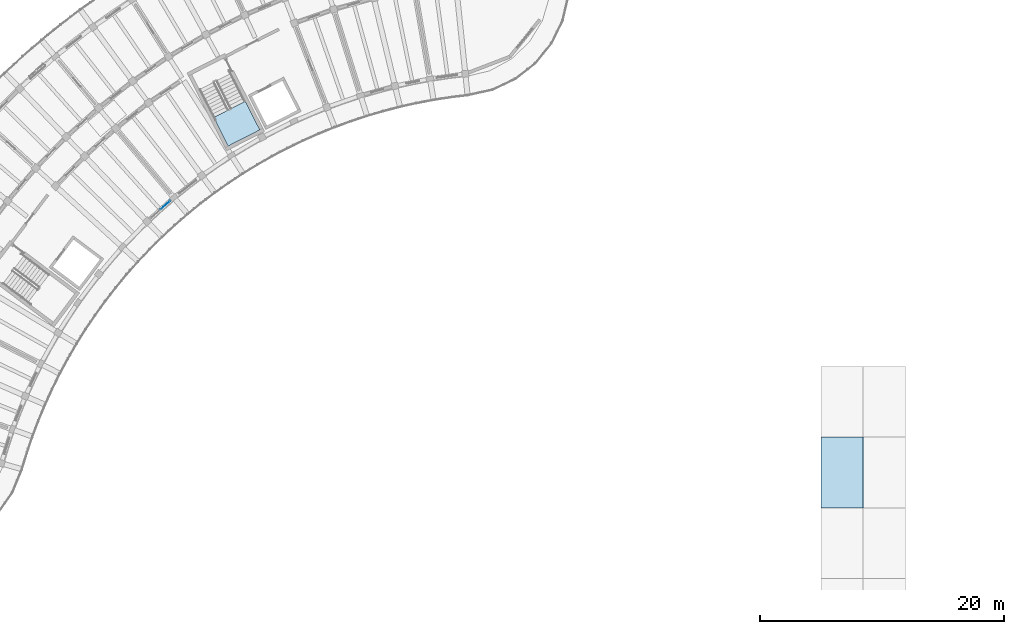
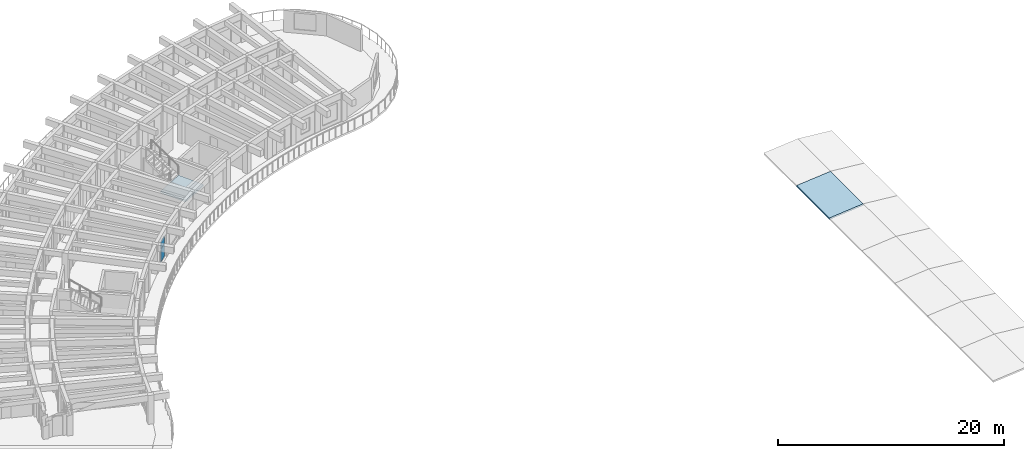
# One storey, part 22 of 69: 2 plates, 2 slabs, 2 elements without a shape of their own.
"""IFC4 building model written with IfcOpenShell, lengths in metres."""

import ifcopenshell
import ifcopenshell.guid

model = None  # the IFC model being written
_history = None  # IfcOwnerHistory: only IFC2X3 demands one
_inside = {}  # id of a spatial element -> (the spatial element, [elements in it])
_under = {}  # id of a project, library or spatial element -> (it, [spatial elements below it])
_declared = {}  # id of a project -> (the project, [libraries it declares])
_typed = {}  # id of a type object -> (the type object, [elements of that type])
_made_of = {}  # id of a material, layer set ... -> (it, [elements and type objects made of it])


def new_model(schema):
    """Start an empty IFC model of exactly this schema.

    Asked for "IFC4X3", IfcOpenShell would pick the latest addendum, in which some entities
    have other attributes; the version numbers below select the first issue.
    IFC2X3 requires an IfcOwnerHistory on every rooted entity: one is made here for all.
    """
    global model, _history
    if schema == "IFC4X3":
        model = ifcopenshell.file(schema_version=(4, 3, 0, 0))
    else:
        model = ifcopenshell.file(schema=schema)
    _inside.clear()
    _under.clear()
    _declared.clear()
    _typed.clear()
    _made_of.clear()
    _history = None
    if model.schema == "IFC2X3":
        org = make("IfcOrganization", Name="unknown")
        user = make(
            "IfcPersonAndOrganization",
            ThePerson=make("IfcPerson", FamilyName="unknown"),
            TheOrganization=org,
        )
        app = make(
            "IfcApplication",
            ApplicationDeveloper=org,
            Version="unknown",
            ApplicationFullName="unknown",
            ApplicationIdentifier="unknown",
        )
        _history = make(
            "IfcOwnerHistory",
            OwningUser=user,
            OwningApplication=app,
            ChangeAction="ADDED",
            CreationDate=0,
        )
    return model


def make(cls, **values):
    """One entity of the class cls with the attributes given. An attribute that is None is left unset."""
    return model.create_entity(
        cls, **{name: value for name, value in values.items() if value is not None}
    )


def rooted(cls, **values):
    """An entity with a GlobalId (a new one), such as an element, a storey or a relation."""
    return make(cls, GlobalId=ifcopenshell.guid.new(), OwnerHistory=_history, **values)


def si_unit(unit_type, name, prefix=None):
    """IfcSIUnit, for example si_unit("LENGTHUNIT", "METRE", prefix="MILLI")."""
    return make("IfcSIUnit", UnitType=unit_type, Prefix=prefix, Name=name)


def assignment(units):
    """IfcUnitAssignment: the units of a project."""
    return None if units is None else make("IfcUnitAssignment", Units=units)


def point(xyz):
    """IfcCartesianPoint."""
    return None if xyz is None else make("IfcCartesianPoint", Coordinates=xyz)


def direction(xyz):
    """IfcDirection."""
    return None if xyz is None else make("IfcDirection", DirectionRatios=xyz)


def frame(location, z_axis=None, x_axis=None):
    """IfcAxis2Placement3D, a coordinate frame: its origin and axes. An axis left out is left unset."""
    return make(
        "IfcAxis2Placement3D",
        Location=point(location),
        Axis=direction(z_axis),
        RefDirection=direction(x_axis),
    )


def frame_2d(location, x_axis=None):
    """IfcAxis2Placement2D, a coordinate frame in the plane: its origin and x axis."""
    return make(
        "IfcAxis2Placement2D", Location=point(location), RefDirection=direction(x_axis)
    )


def origin():
    """The frame at (0, 0, 0) with its axes left unset."""
    return frame((0.0, 0.0, 0.0))


def origin_2d():
    """The frame at (0, 0) in the plane with its x axis left unset."""
    return frame_2d((0.0, 0.0))


def place(relative_to, where):
    """IfcLocalPlacement: puts the frame where relative to a parent placement (None: the world)."""
    return make(
        "IfcLocalPlacement", PlacementRelTo=relative_to, RelativePlacement=where
    )


def context(
    kind, dimensions, precision=None, world=None, true_north=None, identifier=None
):
    """IfcGeometricRepresentationContext, for example the 3D "Model" context."""
    return make(
        "IfcGeometricRepresentationContext",
        ContextIdentifier=identifier,
        ContextType=kind,
        CoordinateSpaceDimension=dimensions,
        Precision=precision,
        WorldCoordinateSystem=world,
        TrueNorth=true_north,
    )


def subcontext(parent, identifier, kind, view, scale=None):
    """IfcGeometricRepresentationSubContext, for example "Body" below "Model"."""
    return make(
        "IfcGeometricRepresentationSubContext",
        ContextIdentifier=identifier,
        ContextType=kind,
        ParentContext=parent,
        TargetScale=scale,
        TargetView=view,
    )


def project(units=None, contexts=None):
    """IfcProject with its units and contexts."""
    return rooted(
        "IfcProject",
        Name="project",
        RepresentationContexts=contexts,
        UnitsInContext=assignment(units),
    )


def spatial(cls, under=None, at=None, **own):
    """A site, building, storey or space (cls), placed at a placement, below another one or the project."""
    s = rooted(cls, ObjectPlacement=at, **own)
    if under is not None:
        _under.setdefault(under.id(), (under, []))[1].append(s)
    return s


def polyline(points):
    """IfcPolyline through the points."""
    return make("IfcPolyline", Points=[point(p) for p in points])


def profile(cls, at=None, kind="AREA", **sizes):
    """A parametric profile (cls). Its sizes go by their IFC names, for example OverallWidth=200.0."""
    return make(cls, ProfileType=kind, Position=at, **sizes)


def rectangle(**sizes):
    """IfcRectangleProfileDef."""
    return profile("IfcRectangleProfileDef", **sizes)


def outline(outer, holes=None, kind="AREA"):
    """IfcArbitraryClosedProfileDef: a profile drawn as a closed curve; with holes, ...WithVoids."""
    if holes is None:
        return make("IfcArbitraryClosedProfileDef", ProfileType=kind, OuterCurve=outer)
    return make(
        "IfcArbitraryProfileDefWithVoids",
        ProfileType=kind,
        OuterCurve=outer,
        InnerCurves=holes,
    )


def extrude(swept, where, along, depth):
    """IfcExtrudedAreaSolid: the profile swept, set in the frame where, extruded along a direction by depth."""
    return make(
        "IfcExtrudedAreaSolid",
        SweptArea=swept,
        Position=where,
        ExtrudedDirection=direction(along),
        Depth=depth,
    )


def shape(context_of_items, identifier, shape_type, items):
    """IfcShapeRepresentation: the items that make up one representation, for example the "Body"."""
    return make(
        "IfcShapeRepresentation",
        ContextOfItems=context_of_items,
        RepresentationIdentifier=identifier,
        RepresentationType=shape_type,
        Items=items,
    )


def material(Name=None, Category=None):
    """IfcMaterial."""
    return make("IfcMaterial", Name=Name, Category=Category)


def layer(
    of_material, thickness, ventilated=None, Name=None, Category=None, Priority=None
):
    """IfcMaterialLayer: one layer of a wall or slab, of a material (None: an air gap)."""
    return make(
        "IfcMaterialLayer",
        Material=of_material,
        LayerThickness=thickness,
        IsVentilated=ventilated,
        Name=Name,
        Category=Category,
        Priority=Priority,
    )


def layer_set(layers, Name=None):
    """IfcMaterialLayerSet."""
    return make("IfcMaterialLayerSet", MaterialLayers=layers, LayerSetName=Name)


def made_of(thing, what):
    """Note that an element or type object is made of a material, layer set ...; save() writes the relation."""
    if what is not None:
        _made_of.setdefault(what.id(), (what, []))[1].append(thing)
    return thing


def type_object(cls, material=None, **own):
    """A type object (cls), such as IfcWallType, which elements share."""
    return made_of(rooted(cls, **own), material)


def element(
    cls,
    number,
    at=None,
    inside=None,
    cuts=None,
    type_object=None,
    material=None,
    context=None,
    identifier="Body",
    shape_type=None,
    held_by="IfcProductDefinitionShape",
    body=None,
    shapes=None,
    **own,
):
    """One element of the class cls, such as IfcWall. Its Tag is "e" and its number.

    at: its placement. inside: the storey or other place that contains it. cuts: it is an
    opening in that element (IfcRelVoidsElement). A single representation is given by context,
    identifier, shape_type and body (its items); several are given by shapes. held_by: the class
    of the entity that holds the representations. save() writes the other relations.
    """
    e = rooted(cls, Tag="e%d" % number, ObjectPlacement=at, **own)
    if body is not None:
        shapes = [shape(context, identifier, shape_type, body)]
    if shapes is not None:
        e.Representation = make(held_by, Representations=shapes)
    if inside is not None:
        _inside.setdefault(inside.id(), (inside, []))[1].append(e)
    if cuts is not None:
        rooted(
            "IfcRelVoidsElement", RelatingBuildingElement=cuts, RelatedOpeningElement=e
        )
    if type_object is not None:
        _typed.setdefault(type_object.id(), (type_object, []))[1].append(e)
    return made_of(e, material)


def aggregate(whole, parts):
    """IfcRelAggregates: a whole, such as a stair, and the parts it consists of."""
    return rooted("IfcRelAggregates", RelatingObject=whole, RelatedObjects=parts)


def save(model, path):
    """Write the relations noted so far, then the file.

    IfcRelAggregates (storeys below a building ...), IfcRelContainedInSpatialStructure (elements
    in a storey), IfcRelDefinesByType, IfcRelAssociatesMaterial and IfcRelDeclares: one each for
    every whole, place, type object, material and project.
    """
    for whole, parts in _under.values():
        aggregate(whole, parts)
    for where, things in _inside.values():
        rooted(
            "IfcRelContainedInSpatialStructure",
            RelatedElements=things,
            RelatingStructure=where,
        )
    for kind, things in _typed.values():
        rooted("IfcRelDefinesByType", RelatedObjects=things, RelatingType=kind)
    for what, things in _made_of.values():
        rooted("IfcRelAssociatesMaterial", RelatedObjects=things, RelatingMaterial=what)
    for by, libraries in _declared.values():
        rooted("IfcRelDeclares", RelatingContext=by, RelatedDefinitions=libraries)
    model.write(path)


model = new_model("IFC4")

# Units and contexts
model_context = context("Model", 3, precision=1e-05, world=origin(), true_north=direction((0.0, 1.0)))
body_context = subcontext(model_context, "Body", "Model", "MODEL_VIEW")
ifc_project = project(units=[si_unit("LENGTHUNIT", "METRE"), si_unit("AREAUNIT", "SQUARE_METRE"), si_unit("VOLUMEUNIT", "CUBIC_METRE"), si_unit("PLANEANGLEUNIT", "RADIAN"), si_unit("MASSUNIT", "GRAM", prefix="KILO")], contexts=[model_context])

# Site, building, storey
site_placement = place(None, origin())
site = spatial("IfcSite", under=ifc_project, at=site_placement, CompositionType="ELEMENT")
building_placement = place(site_placement, origin())
building = spatial("IfcBuilding", under=site, at=building_placement, Name="Tanwirah Colonnade Gardens", CompositionType="ELEMENT")
storey_placement = place(building_placement, frame((0.0, 0.0, 15.56005859375)))
storey = spatial("IfcBuildingStorey", under=building, at=storey_placement, Name="L04", CompositionType="ELEMENT", Elevation=15.56005859375)

# Curtain wall, plates
ifc_material_1 = material(Name="Bronze-anodised aluminium and solar-control low-E glass", Category="aluminium")
curtain_wall_type = type_object("IfcCurtainWallType", Name="CW-GDN", PredefinedType="NOTDEFINED", material=ifc_material_1)
curtain_wall_placement = place(storey_placement, origin())
curtain_wall = element("IfcCurtainWall", 1, at=curtain_wall_placement, inside=storey, type_object=curtain_wall_type, Name="Curtain Wall CW-A-L04-IN-09", PredefinedType="NOTDEFINED")
ifc_material_2 = material(Name="Insulated bronze aluminium spandrel panel", Category="aluminium")
ifc_layer_1 = layer(ifc_material_2, 0.035888671875)
ifc_layer_set_1 = layer_set([ifc_layer_1], Name="Insulated bronze aluminium spandrel panel")
plate_type = type_object("IfcPlateType", Name="CWP-SPN36", PredefinedType="CURTAIN_PANEL", material=ifc_layer_set_1)
plate_1_placement = place(storey_placement, frame((35.736572265625, 93.630615234375, 0.06494140625), z_axis=(0.0, 0.0, 1.0), x_axis=(-0.744440162253, -0.667689182798, 0.0)))
plate_1 = element("IfcPlate", 2, at=plate_1_placement, type_object=plate_type, Name="CW-GDN panel 1.1", PredefinedType="CURTAIN_PANEL", context=body_context, shape_type="SweptSolid", body=[
    extrude(rectangle(XDim=1.007568359375, YDim=0.035888671875, at=origin_2d()), origin(), (0.0, 0.0, 1.0), 1.362548828125),
])
plate_2_placement = place(storey_placement, frame((35.736572265625, 93.630615234375, 1.49267578125), z_axis=(0.0, 0.0, 1.0), x_axis=(-0.744440162253, -0.667689182798, 0.0)))
plate_2 = element("IfcPlate", 3, at=plate_2_placement, type_object=plate_type, Name="CW-GDN panel 1.2", PredefinedType="CURTAIN_PANEL", context=body_context, shape_type="SweptSolid", body=[
    extrude(rectangle(XDim=1.007568359375, YDim=0.035888671875, at=origin_2d()), origin(), (0.0, 0.0, 1.0), 0.79736328125),
])
aggregate(curtain_wall, [plate_1, plate_2])

# Slab
ifc_material_3 = material(Name="Precast concrete C45/55", Category="concrete")
ifc_layer_2 = layer(ifc_material_3, 0.179931640625)
ifc_layer_set_2 = layer_set([ifc_layer_2], Name="Precast concrete C45/55")
slab_type_1 = type_object("IfcSlabType", Name="RF-VAULT-180", PredefinedType="ROOF", material=ifc_layer_set_2)
slab_1_placement = place(storey_placement, frame((89.53076171875, 68.800048828125, 0.733642578125), z_axis=(-0.093674946513, 0.0, 0.995602834666), x_axis=(0.995602834666, 0.0, 0.093674946513)))
element("IfcSlab", 4, at=slab_1_placement, inside=storey, type_object=slab_type_1, Name="Community Hall Barrel Vault Roof Strip 6.5", PredefinedType="ROOF", context=body_context, shape_type="SweptSolid", body=[
    extrude(outline(polyline([(0.0, 0.0), (3.484560469750375, 0.0), (3.484560469750375, 5.800048828125), (0.0, 5.800048828125), (0.0, 0.0)])), origin(), (0.0, 0.0, -1.0), 0.179931640625),
])

# Stair, slab
ifc_material_4 = material(Name="Precast concrete C40/50", Category="concrete")
stair_type = type_object("IfcStairType", Name="ST-RES168", PredefinedType="HALF_TURN_STAIR", material=ifc_material_4)
stair_placement = place(storey_placement, origin())
stair = element("IfcStair", 5, at=stair_placement, inside=storey, type_object=stair_type, Name="L04 Block A Core 1 Exit Stair", PredefinedType="HALF_TURN_STAIR")
ifc_layer_3 = layer(ifc_material_4, 0.205078125)
ifc_layer_set_3 = layer_set([ifc_layer_3], Name="Precast concrete C40/50")
slab_type_2 = type_object("IfcSlabType", Name="SL-LND-205", PredefinedType="LANDING", material=ifc_layer_set_3)
slab_2_placement = place(storey_placement, frame((0.0, 0.0, 1.474853515625)))
slab_2 = element("IfcSlab", 6, at=slab_2_placement, type_object=slab_type_2, Name="ST-A1 landing 1", PredefinedType="LANDING", context=body_context, shape_type="SweptSolid", body=[
    extrude(outline(polyline([(39.6982421875, 100.826171875), (40.89453125, 98.478515625), (43.496337890625, 99.80419921875), (42.300048828125, 102.15185546875), (39.6982421875, 100.826171875)])), origin(), (0.0, 0.0, 1.0), 0.205078125),
])
aggregate(stair, [slab_2])

save(model, "model.ifc")
